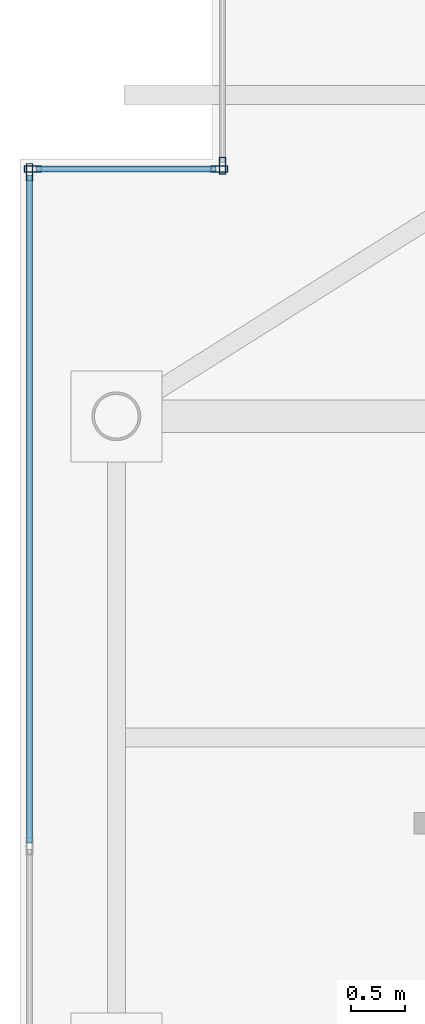
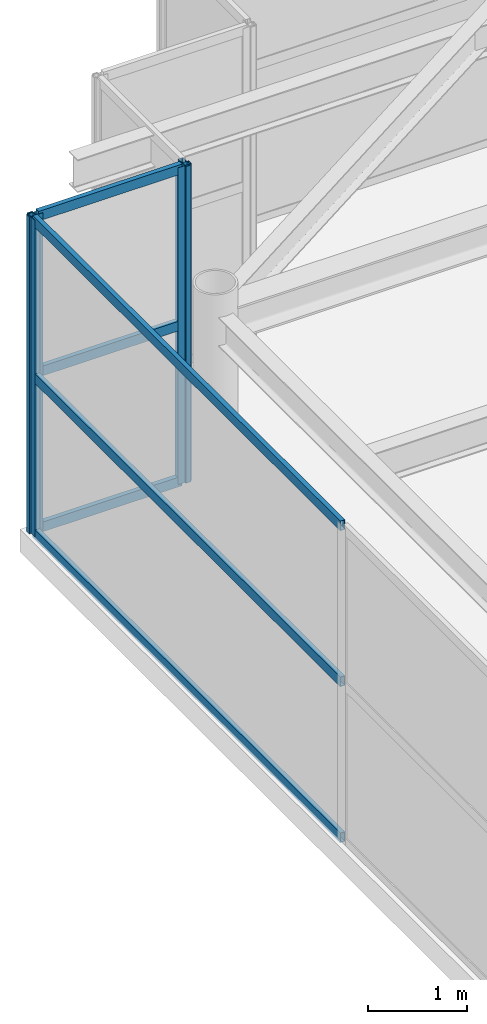
# One storey, part 20 of 32: 10 members, 3 elements without a shape of their own.
"""IFC4 building model written with IfcOpenShell, lengths in metres."""

from ifc_helpers import new_model, si_unit, direction, frame, origin, origin_2d, place, context, subcontext, project, spatial, hollow_rectangle, extrude, source, transform, mapped, material, layer, layer_set, material_profile, profile_set, type_object, element, aggregate, save


model = new_model("IFC4")

# Units and contexts
model_context = context("Model", 3, precision=1e-05, world=origin(), true_north=direction((0.0, 1.0)))
body_context = subcontext(model_context, "Body", "Model", "MODEL_VIEW")
ifc_project = project(units=[si_unit("LENGTHUNIT", "METRE"), si_unit("AREAUNIT", "SQUARE_METRE"), si_unit("VOLUMEUNIT", "CUBIC_METRE"), si_unit("PLANEANGLEUNIT", "RADIAN"), si_unit("MASSUNIT", "GRAM", prefix="KILO")], contexts=[model_context])

# Site, building, storey
site_placement = place(None, origin())
site = spatial("IfcSite", under=ifc_project, at=site_placement, CompositionType="ELEMENT")
building_placement = place(site_placement, origin())
building = spatial("IfcBuilding", under=site, at=building_placement, Name="Khoralis Quay Care Tower", CompositionType="ELEMENT")
storey_placement = place(building_placement, frame((0.0, 0.0, 293.699951171875)))
storey = spatial("IfcBuildingStorey", under=building, at=storey_placement, Name="L77", CompositionType="ELEMENT", Elevation=293.699951171875)

# Curtain wall, member
ifc_material = material(Name="Pale anodised aluminium", Category="aluminium")
ifc_layer = layer(ifc_material, 0.199951171875)
ifc_layer_set = layer_set([ifc_layer], Name="Pale anodised aluminium")
curtain_wall_type = type_object("IfcCurtainWallType", Name="CW-SYS-LANTERN", PredefinedType="NOTDEFINED", material=ifc_layer_set)
curtain_wall_1_placement = place(storey_placement, origin())
curtain_wall_1 = element("IfcCurtainWall", 1, at=curtain_wall_1_placement, inside=storey, type_object=curtain_wall_type, Name="L77 Unitised Curtain Wall CW-LN-L77-14", PredefinedType="NOTDEFINED")
ifc_material_profile_1 = material_profile(ifc_material, hollow_rectangle(XDim=0.06005859375, YDim=0.159912109375, WallThickness=0.00390625, at=origin_2d()), Name="Pale anodised aluminium")
ifc_profile_set_1 = profile_set([ifc_material_profile_1], Name="Pale anodised aluminium")
member_type_1 = type_object("IfcMemberType", Name="CW-MUL-160", PredefinedType="MULLION", material=ifc_profile_set_1)
shared_shape_1 = source(origin(), body_context, "Body", "SweptSolid", [
    extrude(hollow_rectangle(XDim=0.06005859375, YDim=0.159912109375, WallThickness=0.00390625, at=origin_2d()), origin(), (0.0, 0.0, 1.0), 3.920166015625),
])
member_1_placement = place(storey_placement, frame((4.889892578125, 38.340087890625, 0.0), z_axis=(0.0, 0.0, 1.0), x_axis=(1.0, 0.0, 0.0)))
member_1 = element("IfcMember", 2, at=member_1_placement, type_object=member_type_1, Name="CW5 mullion 2", PredefinedType="MULLION", context=body_context, shape_type="MappedRepresentation", body=[
    mapped(shared_shape_1, transform((0.0, 0.0, 0.0), scale=1.0)),
])
aggregate(curtain_wall_1, [member_1])

# Curtain wall, members
curtain_wall_2_placement = place(storey_placement, origin())
curtain_wall_2 = element("IfcCurtainWall", 3, at=curtain_wall_2_placement, inside=storey, type_object=curtain_wall_type, Name="L77 Unitised Curtain Wall CW-LN-L77-15", PredefinedType="NOTDEFINED")
member_2_placement = place(storey_placement, frame((4.860107421875, 38.31005859375, 0.0), z_axis=(0.0, 0.0, 1.0), x_axis=(0.0, -1.0, 0.0)))
member_2 = element("IfcMember", 4, at=member_2_placement, type_object=member_type_1, Name="CW5 mullion 1", PredefinedType="MULLION", context=body_context, shape_type="MappedRepresentation", body=[
    mapped(shared_shape_1, transform((0.0, 0.0, 0.0), scale=1.0)),
])
member_3_placement = place(storey_placement, frame((3.1201171875, 38.31005859375, 0.0), z_axis=(0.0, 0.0, 1.0), x_axis=(0.0, -1.0, 0.0)))
member_3 = element("IfcMember", 5, at=member_3_placement, type_object=member_type_1, Name="CW5 mullion 2", PredefinedType="MULLION", context=body_context, shape_type="MappedRepresentation", body=[
    mapped(shared_shape_1, transform((0.0, 0.0, 0.0), scale=1.0)),
])

curtain_wall_3_placement = place(storey_placement, origin())
curtain_wall_3 = element("IfcCurtainWall", 6, at=curtain_wall_3_placement, inside=storey, type_object=curtain_wall_type, Name="L77 Unitised Curtain Wall CW-LN-L77-16", PredefinedType="NOTDEFINED")
member_4_placement = place(storey_placement, frame((3.090087890625, 38.280029296875, 0.0), z_axis=(0.0, 0.0, 1.0), x_axis=(1.0, 0.0, 0.0)))
member_4 = element("IfcMember", 7, at=member_4_placement, type_object=member_type_1, Name="CW5 mullion 1", PredefinedType="MULLION", context=body_context, shape_type="MappedRepresentation", body=[
    mapped(shared_shape_1, transform((0.0, 0.0, 0.0), scale=1.0)),
])
ifc_material_profile_2 = material_profile(ifc_material, hollow_rectangle(XDim=0.054931640625, YDim=0.1201171875, WallThickness=0.00390625, at=origin_2d()), Name="Pale anodised aluminium")
ifc_profile_set_2 = profile_set([ifc_material_profile_2], Name="Pale anodised aluminium")
member_type_2 = type_object("IfcMemberType", Name="CW-TRN-120", PredefinedType="USERDEFINED", material=ifc_profile_set_2)
shared_shape_2 = source(origin(), body_context, "Body", "SweptSolid", [
    extrude(hollow_rectangle(XDim=0.054931640625, YDim=0.1201171875, WallThickness=0.00390625, at=origin_2d()), origin(), (0.0, 0.0, 1.0), 6.23388671875),
])
member_5_placement = place(storey_placement, frame((3.090087890625, 38.25, 0.030029296875), z_axis=(0.0, -1.0, 0.0), x_axis=(1.0, 0.0, 0.0)))
member_5 = element("IfcMember", 8, at=member_5_placement, type_object=member_type_2, Name="CW5 transom 1.1", ObjectType="TRANSOM", PredefinedType="USERDEFINED", context=body_context, shape_type="MappedRepresentation", body=[
    mapped(shared_shape_2, transform((0.0, 0.0, 0.0), scale=1.0)),
])
member_6_placement = place(storey_placement, frame((3.090087890625, 38.25, 1.9599609375), z_axis=(0.0, -1.0, 0.0), x_axis=(1.0, 0.0, 0.0)))
member_6 = element("IfcMember", 9, at=member_6_placement, type_object=member_type_2, Name="CW5 transom 1.2", ObjectType="TRANSOM", PredefinedType="USERDEFINED", context=body_context, shape_type="MappedRepresentation", body=[
    mapped(shared_shape_2, transform((0.0, 0.0, 0.0), scale=1.0)),
])
member_7_placement = place(storey_placement, frame((3.090087890625, 38.25, 3.89013671875), z_axis=(0.0, -1.0, 0.0), x_axis=(1.0, 0.0, 0.0)))
member_7 = element("IfcMember", 10, at=member_7_placement, type_object=member_type_2, Name="CW5 transom 1.3", ObjectType="TRANSOM", PredefinedType="USERDEFINED", context=body_context, shape_type="MappedRepresentation", body=[
    mapped(shared_shape_2, transform((0.0, 0.0, 0.0), scale=1.0)),
])
aggregate(curtain_wall_3, [member_4, member_5, member_6, member_7])

# Member
shared_shape_3 = source(origin(), body_context, "Body", "SweptSolid", [
    extrude(hollow_rectangle(XDim=0.054931640625, YDim=0.1201171875, WallThickness=0.00390625, at=origin_2d()), origin(), (0.0, 0.0, 1.0), 1.68017578125),
])
member_8_placement = place(storey_placement, frame((4.830078125, 38.31005859375, 0.030029296875), z_axis=(-1.0, 0.0, 0.0), x_axis=(0.0, -1.0, 0.0)))
member_8 = element("IfcMember", 11, at=member_8_placement, type_object=member_type_2, Name="CW5 transom 1.1", ObjectType="TRANSOM", PredefinedType="USERDEFINED", context=body_context, shape_type="MappedRepresentation", body=[
    mapped(shared_shape_3, transform((0.0, 0.0, 0.0), scale=1.0)),
])

member_9_placement = place(storey_placement, frame((4.830078125, 38.31005859375, 1.9599609375), z_axis=(-1.0, 0.0, 0.0), x_axis=(0.0, -1.0, 0.0)))
member_9 = element("IfcMember", 12, at=member_9_placement, type_object=member_type_2, Name="CW5 transom 1.2", ObjectType="TRANSOM", PredefinedType="USERDEFINED", context=body_context, shape_type="MappedRepresentation", body=[
    mapped(shared_shape_3, transform((0.0, 0.0, 0.0), scale=1.0)),
])

member_10_placement = place(storey_placement, frame((4.830078125, 38.31005859375, 3.89013671875), z_axis=(-1.0, 0.0, 0.0), x_axis=(0.0, -1.0, 0.0)))
member_10 = element("IfcMember", 13, at=member_10_placement, type_object=member_type_2, Name="CW5 transom 1.3", ObjectType="TRANSOM", PredefinedType="USERDEFINED", context=body_context, shape_type="MappedRepresentation", body=[
    mapped(shared_shape_3, transform((0.0, 0.0, 0.0), scale=1.0)),
])

aggregate(curtain_wall_2, [member_2, member_3, member_8, member_9, member_10])

save(model, "model.ifc")
